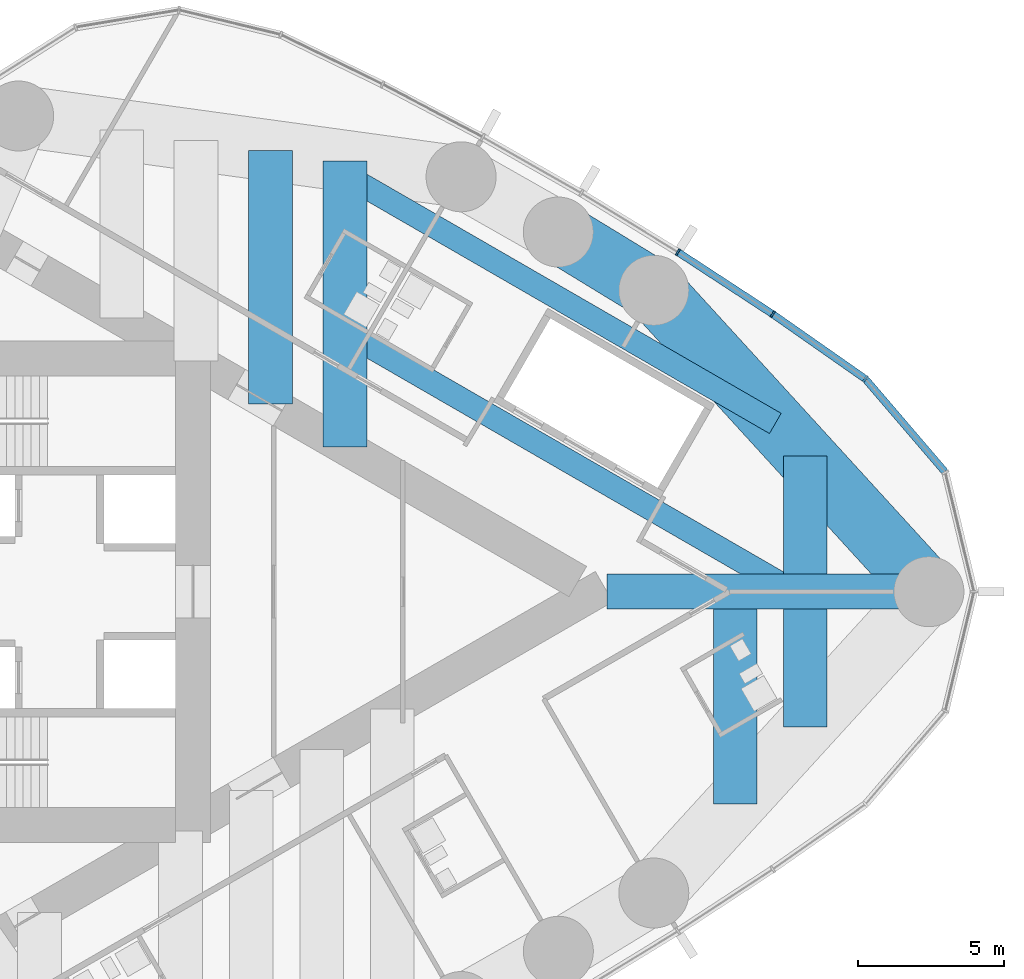
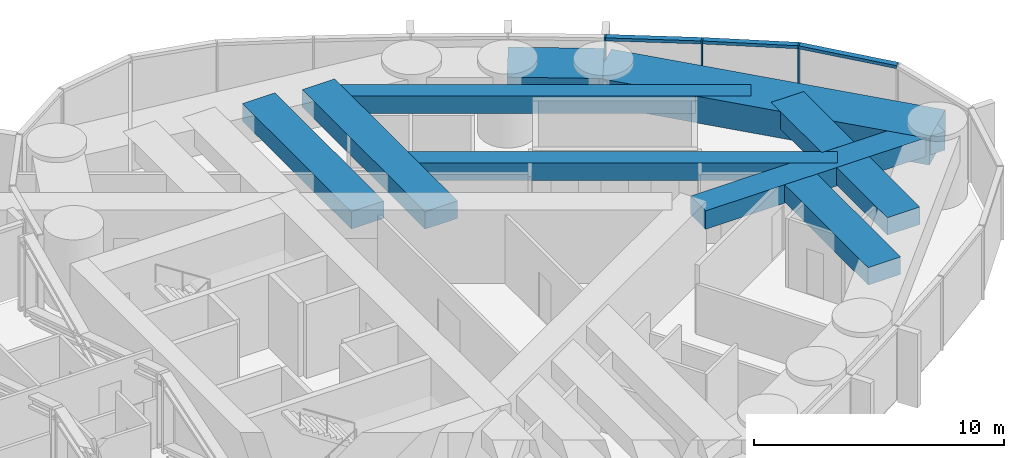
# One storey, part 9 of 22: 10 beams, 6 members, 1 element without a shape of its own.
"""IFC4 building model written with IfcOpenShell, lengths in metres."""

from ifc_helpers import new_model, si_unit, direction, frame, origin, origin_2d, place, context, subcontext, project, spatial, rectangle, hollow_rectangle, extrude, material, material_profile, profile_set, type_object, element, aggregate, save


model = new_model("IFC4")

# Units and contexts
model_context = context("Model", 3, precision=1e-05, world=origin(), true_north=direction((0.0, 1.0)))
body_context = subcontext(model_context, "Body", "Model", "MODEL_VIEW")
ifc_project = project(units=[si_unit("LENGTHUNIT", "METRE"), si_unit("AREAUNIT", "SQUARE_METRE"), si_unit("VOLUMEUNIT", "CUBIC_METRE"), si_unit("PLANEANGLEUNIT", "RADIAN"), si_unit("MASSUNIT", "GRAM", prefix="KILO")], contexts=[model_context])

# Site, building, storey
site_placement = place(None, origin())
site = spatial("IfcSite", under=ifc_project, at=site_placement, CompositionType="ELEMENT")
building_placement = place(site_placement, origin())
building = spatial("IfcBuilding", under=site, at=building_placement, Name="Lancet Gate Hotel", CompositionType="ELEMENT")
storey_placement = place(building_placement, frame((0.0, 0.0, 233.300048828125)))
storey = spatial("IfcBuildingStorey", under=building, at=storey_placement, Name="L62", CompositionType="ELEMENT", Elevation=233.300048828125)

# Curtain wall, members
ifc_material_1 = material(Name="Aluminium curtain wall", Category="aluminium")
curtain_wall_type = type_object("IfcCurtainWallType", Name="Tower unitised curtain wall", PredefinedType="USERDEFINED", material=ifc_material_1)
curtain_wall_placement = place(storey_placement, origin())
curtain_wall = element("IfcCurtainWall", 1, at=curtain_wall_placement, inside=storey, type_object=curtain_wall_type, Name="T2 L62 curtain wall 1", ObjectType="UNITISED CURTAIN WALL", PredefinedType="USERDEFINED")
ifc_material_2 = material(Name="Aluminium mullion", Category="aluminium")
ifc_material_profile_1 = material_profile(ifc_material_2, rectangle(XDim=0.06494140625, YDim=0.25, at=origin_2d()), Name="MULLION 65x250")
ifc_profile_set_1 = profile_set([ifc_material_profile_1], Name="Aluminium mullion")
member_type_1 = type_object("IfcMemberType", Name="Aluminium mullion 65x250", PredefinedType="MULLION", material=ifc_profile_set_1)
member_1_placement = place(storey_placement, frame((60.367431640625, 7.291259765625, 0.0), z_axis=(0.0, 0.0, 1.0), x_axis=(-0.737323173512, 0.675540182226, 0.0)))
member_1 = element("IfcMember", 2, at=member_1_placement, type_object=member_type_1, Name="T2 L62 curtain wall 1 mullion 16", PredefinedType="MULLION", context=body_context, shape_type="SweptSolid", body=[
    extrude(rectangle(XDim=0.06494140625, YDim=0.25, at=origin_2d()), origin(), (0.0, 0.0, 1.0), 3.599853515625),
])
member_2_placement = place(storey_placement, frame((57.185791015625, 9.518310546875, 0.0), z_axis=(0.0, 0.0, 1.0), x_axis=(-0.828154697184, 0.560499596371, 0.0)))
member_2 = element("IfcMember", 3, at=member_2_placement, type_object=member_type_1, Name="T2 L62 curtain wall 1 mullion 17", PredefinedType="MULLION", context=body_context, shape_type="SweptSolid", body=[
    extrude(rectangle(XDim=0.06494140625, YDim=0.25, at=origin_2d()), origin(), (0.0, 0.0, 1.0), 3.599853515625),
])
member_3_placement = place(storey_placement, frame((53.935791015625, 11.644287109375, 0.0), z_axis=(0.0, 0.0, 1.0), x_axis=(-0.845339753513, 0.534229071777, 0.0)))
member_3 = element("IfcMember", 4, at=member_3_placement, type_object=member_type_1, Name="T2 L62 curtain wall 1 mullion 18", PredefinedType="MULLION", context=body_context, shape_type="SweptSolid", body=[
    extrude(rectangle(XDim=0.06494140625, YDim=0.25, at=origin_2d()), origin(), (0.0, 0.0, 1.0), 3.599853515625),
])
ifc_material_3 = material(Name="Aluminium transom", Category="aluminium")
ifc_material_profile_2 = material_profile(ifc_material_3, rectangle(XDim=0.25, YDim=0.14990234375, at=origin_2d()), Name="TRANSOM 250x150")
ifc_profile_set_2 = profile_set([ifc_material_profile_2], Name="Aluminium transom")
member_type_2 = type_object("IfcMemberType", Name="Aluminium transom 250x150", PredefinedType="USERDEFINED", material=ifc_profile_set_2)
member_4_placement = place(storey_placement, frame((63.08544921875, 4.118408203125, 3.52490234375), z_axis=(-0.650592500186, 0.759427019997, 0.0), x_axis=(-0.759427019997, -0.650592500186, 0.0)))
member_4 = element("IfcMember", 5, at=member_4_placement, type_object=member_type_2, Name="T2 L62 curtain wall 1 transom 15", ObjectType="TRANSOM", PredefinedType="USERDEFINED", context=body_context, shape_type="SweptSolid", body=[
    extrude(rectangle(XDim=0.25, YDim=0.14990234375, at=origin_2d()), origin(), (0.0, 0.0, 1.0), 4.1455078125),
])
member_5_placement = place(storey_placement, frame((60.3408203125, 7.31005859375, 3.52490234375), z_axis=(-0.819255948852, 0.573428016642, 0.0), x_axis=(-0.573428016642, -0.819255948852, 0.0)))
member_5 = element("IfcMember", 6, at=member_5_placement, type_object=member_type_2, Name="T2 L62 curtain wall 1 transom 16", ObjectType="TRANSOM", PredefinedType="USERDEFINED", context=body_context, shape_type="SweptSolid", body=[
    extrude(rectangle(XDim=0.25, YDim=0.14990234375, at=origin_2d()), origin(), (0.0, 0.0, 1.0), 3.818603515625),
])
member_6_placement = place(storey_placement, frame((57.158447265625, 9.5361328125, 3.52490234375), z_axis=(-0.836858089593, 0.547419891749, 0.0), x_axis=(-0.547419891749, -0.836858089593, 0.0)))
member_6 = element("IfcMember", 7, at=member_6_placement, type_object=member_type_2, Name="T2 L62 curtain wall 1 transom 17", ObjectType="TRANSOM", PredefinedType="USERDEFINED", context=body_context, shape_type="SweptSolid", body=[
    extrude(rectangle(XDim=0.25, YDim=0.14990234375, at=origin_2d()), origin(), (0.0, 0.0, 1.0), 3.818603515625),
])
aggregate(curtain_wall, [member_1, member_2, member_3, member_4, member_5, member_6])

# Beams
ifc_material_4 = material(Name="Concrete C50/60", Category="concrete")
ifc_material_profile_3 = material_profile(ifc_material_4, rectangle(XDim=2.10009765625, YDim=1.300048828125, at=origin_2d()), Name="RC 2100x1300")
ifc_profile_set_3 = profile_set([ifc_material_profile_3], Name="Concrete C50/60")
beam_type_1 = type_object("IfcBeamType", Name="Edge beam RC 2100x1300", PredefinedType="SPANDREL", material=ifc_profile_set_3)
beam_1_placement = place(storey_placement, frame((62.54150390625, 0.0, 2.699951171875), z_axis=(-0.674209372947, 0.738540263919, 0.0), x_axis=(-0.738540263919, -0.674209372947, 0.0)))
element("IfcBeam", 8, at=beam_1_placement, inside=storey, type_object=beam_type_1, Name="T2 edge beam EB1 L62", PredefinedType="SPANDREL", context=body_context, shape_type="SweptSolid", body=[
    extrude(rectangle(XDim=2.10009765625, YDim=1.300048828125, at=origin_2d()), origin(), (0.0, 0.0, 1.0), 13.992431640625),
])
beam_2_placement = place(storey_placement, frame((53.107666015625, 10.333984375, 2.699951171875), z_axis=(-0.853604257265, 0.520922040212, 0.0), x_axis=(-0.520922040212, -0.853604257265, 0.0)))
element("IfcBeam", 9, at=beam_2_placement, inside=storey, type_object=beam_type_1, Name="T2 edge beam EB1 L62", PredefinedType="SPANDREL", context=body_context, shape_type="SweptSolid", body=[
    extrude(rectangle(XDim=2.10009765625, YDim=1.300048828125, at=origin_2d()), origin(), (0.0, 0.0, 1.0), 3.835205078125),
])
ifc_material_5 = material(Name="Concrete C50/60", Category="concrete")
ifc_material_profile_4 = material_profile(ifc_material_5, rectangle(XDim=1.5, YDim=0.85009765625, at=origin_2d()), Name="RC 1500x850")
ifc_profile_set_4 = profile_set([ifc_material_profile_4], Name="Concrete C50/60")
beam_type_2 = type_object("IfcBeamType", Name="Floor beam RC 1500x850", PredefinedType="BEAM", material=ifc_profile_set_4)
beam_3_placement = place(storey_placement, frame((39.9658203125, 6.429443359375, 2.925048828125), z_axis=(0.0, 1.0, 0.0), x_axis=(-1.0, 0.0, 0.0)))
element("IfcBeam", 10, at=beam_3_placement, inside=storey, type_object=beam_type_2, Name="T2 floor beam F06N L62", PredefinedType="BEAM", context=body_context, shape_type="SweptSolid", body=[
    extrude(rectangle(XDim=1.5, YDim=0.85009765625, at=origin_2d()), origin(), (0.0, 0.0, 1.0), 8.694091796875),
])
beam_4_placement = place(storey_placement, frame((42.51904296875, 4.95556640625, 2.925048828125), z_axis=(0.0, 1.0, 0.0), x_axis=(-1.0, 0.0, 0.0)))
element("IfcBeam", 11, at=beam_4_placement, inside=storey, type_object=beam_type_2, Name="T2 floor beam F08N L62", PredefinedType="BEAM", context=body_context, shape_type="SweptSolid", body=[
    extrude(rectangle(XDim=1.5, YDim=0.85009765625, at=origin_2d()), origin(), (0.0, 0.0, 1.0), 9.817138671875),
])
beam_5_placement = place(storey_placement, frame((55.90234375, -7.272705078125, 2.925048828125), z_axis=(0.0, 1.0, 0.0), x_axis=(-1.0, 0.0, 0.0)))
element("IfcBeam", 12, at=beam_5_placement, inside=storey, type_object=beam_type_2, Name="T2 floor beam F10S L62", PredefinedType="BEAM", context=body_context, shape_type="SweptSolid", body=[
    extrude(rectangle(XDim=1.5, YDim=0.85009765625, at=origin_2d()), origin(), (0.0, 0.0, 1.0), 6.672607421875),
])
for number, where, z_axis, x_axis, name in (
    (13, (58.30224609375, -4.643798828125, 2.925048828125), (0.0, 1.0, 0.0), (-1.0, 0.0, 0.0), "T2 floor beam F12S L62"),
    (14, (58.30224609375, 0.60009765625, 2.925048828125), (0.0, 1.0, 0.0), (-1.0, 0.0, 0.0), "T2 floor beam F13N L62"),
):
    element("IfcBeam", number, at=place(storey_placement, frame(where, z_axis=z_axis, x_axis=x_axis)), inside=storey, type_object=beam_type_2, Name=name, PredefinedType="BEAM", context=body_context, shape_type="SweptSolid", body=[
        extrude(rectangle(XDim=1.5, YDim=0.85009765625, at=origin_2d()), origin(), (0.0, 0.0, 1.0), 4.043701171875),
    ])
ifc_material_6 = material(Name="Concrete C50/60", Category="concrete")
ifc_material_profile_5 = material_profile(ifc_material_6, rectangle(XDim=1.199951171875, YDim=0.89990234375, at=origin_2d()), Name="RC 1200x900")
ifc_profile_set_5 = profile_set([ifc_material_profile_5], Name="Concrete C50/60")
beam_type_3 = type_object("IfcBeamType", Name="Radial floor beam RC 1200x900", PredefinedType="BEAM", material=ifc_profile_set_5)
beam_6_placement = place(storey_placement, frame((62.54150390625, 0.0, 2.89990234375), z_axis=(-1.0, 0.0, 0.0), x_axis=(0.0, -1.0, 0.0)))
element("IfcBeam", 15, at=beam_6_placement, inside=storey, type_object=beam_type_3, Name="T2 radial beam CA L62", PredefinedType="BEAM", context=body_context, shape_type="SweptSolid", body=[
    extrude(rectangle(XDim=1.199951171875, YDim=0.89990234375, at=origin_2d()), origin(), (0.0, 0.0, 1.0), 11.039306640625),
])
ifc_material_7 = material(Name="Steel S460QL", Category="steel")
ifc_material_profile_6 = material_profile(ifc_material_7, hollow_rectangle(XDim=0.800048828125, YDim=0.85009765625, WallThickness=0.080078125, at=origin_2d()), Name="BOX 850x800x80")
ifc_profile_set_6 = profile_set([ifc_material_profile_6], Name="Steel S460QL")
beam_type_4 = type_object("IfcBeamType", Name="Trimmer beam BOX 850x800x80", PredefinedType="BEAM", material=ifc_profile_set_6)
beam_7_placement = place(storey_placement, frame((42.51904296875, 14.289794921875, 2.925048828125), z_axis=(0.865991109766, -0.500059394279, 0.0), x_axis=(0.500059394279, 0.865991109766, 0.0)))
element("IfcBeam", 16, at=beam_7_placement, inside=storey, type_object=beam_type_4, Name="T2 trimmer beam TR01N L62", PredefinedType="BEAM", context=body_context, shape_type="SweptSolid", body=[
    extrude(hollow_rectangle(XDim=0.800048828125, YDim=0.85009765625, WallThickness=0.080078125, at=origin_2d()), origin(), (0.0, 0.0, 1.0), 17.0390625),
])
beam_8_placement = place(storey_placement, frame((42.51904296875, 8.90185546875, 2.925048828125), z_axis=(0.865994419471, -0.500053662566, 0.0), x_axis=(0.500053662566, 0.865994419471, 0.0)))
element("IfcBeam", 17, at=beam_8_placement, inside=storey, type_object=beam_type_4, Name="T2 trimmer beam TR02N L62", PredefinedType="BEAM", context=body_context, shape_type="SweptSolid", body=[
    extrude(hollow_rectangle(XDim=0.800048828125, YDim=0.85009765625, WallThickness=0.080078125, at=origin_2d()), origin(), (0.0, 0.0, 1.0), 17.8017578125),
])

save(model, "model.ifc")
